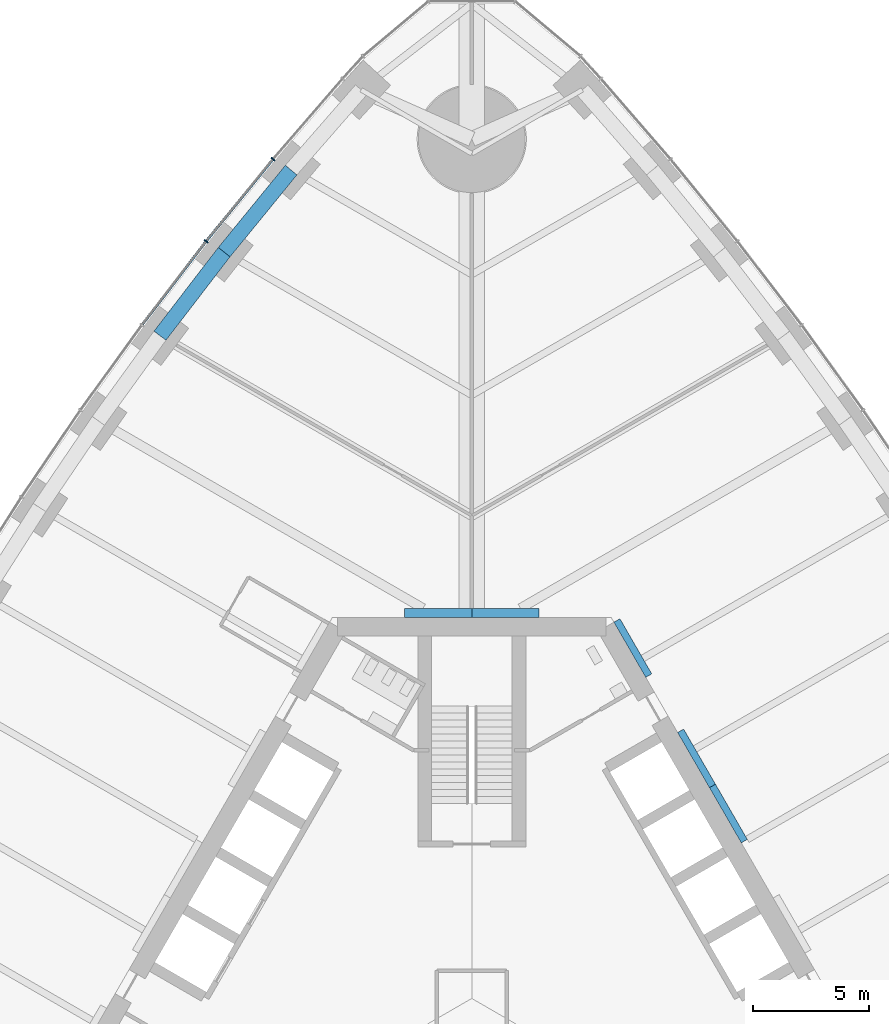
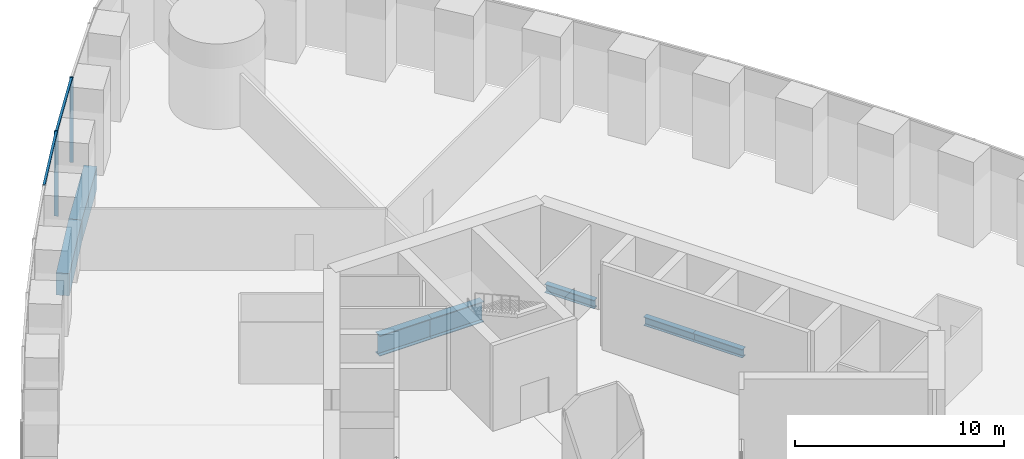
# One storey, part 8 of 21: 7 beams, 4 members, 1 element without a shape of its own.
"""IFC4 building model written with IfcOpenShell, lengths in metres."""

from ifc_helpers import new_model, si_unit, direction, frame, origin, origin_2d, place, context, subcontext, project, spatial, rectangle, i_section, extrude, material, material_profile, profile_set, type_object, element, aggregate, save


model = new_model("IFC4")

# Units and contexts
model_context = context("Model", 3, precision=1e-05, world=origin(), true_north=direction((0.0, 1.0)))
body_context = subcontext(model_context, "Body", "Model", "MODEL_VIEW")
ifc_project = project(units=[si_unit("LENGTHUNIT", "METRE"), si_unit("AREAUNIT", "SQUARE_METRE"), si_unit("VOLUMEUNIT", "CUBIC_METRE"), si_unit("PLANEANGLEUNIT", "RADIAN"), si_unit("MASSUNIT", "GRAM", prefix="KILO")], contexts=[model_context])

# Site, building, storey
site_placement = place(None, origin())
site = spatial("IfcSite", under=ifc_project, at=site_placement, CompositionType="ELEMENT")
building_placement = place(site_placement, origin())
building = spatial("IfcBuilding", under=site, at=building_placement, Name="Trefoil Bronze Tower", CompositionType="ELEMENT")
storey_placement = place(building_placement, frame((0.0, 0.0, 6.5)))
storey = spatial("IfcBuildingStorey", under=building, at=storey_placement, Name="L01", CompositionType="ELEMENT", Elevation=6.5)

# Curtain wall, members
ifc_material_1 = material(Name="Tinted solar-control glass", Category="glass")
curtain_wall_type = type_object("IfcCurtainWallType", Name="Bronze podium storefront curtain wall", PredefinedType="USERDEFINED", material=ifc_material_1)
curtain_wall_placement = place(storey_placement, origin())
curtain_wall = element("IfcCurtainWall", 1, at=curtain_wall_placement, inside=storey, type_object=curtain_wall_type, Name="CW-C L01 F3", ObjectType="CURTAIN WALL", PredefinedType="USERDEFINED")
ifc_material_2 = material(Name="Bronze-finish aluminium", Category="aluminium")
ifc_material_profile_1 = material_profile(ifc_material_2, rectangle(XDim=0.199951171875, YDim=0.06005859375, at=origin_2d()), Name="CW-C mullion")
ifc_profile_set_1 = profile_set([ifc_material_profile_1], Name="Bronze-finish aluminium")
member_type_1 = type_object("IfcMemberType", Name="Bronze podium storefront curtain wall mullion", PredefinedType="MULLION", material=ifc_profile_set_1)
member_1_placement = place(storey_placement, frame((-8.556640625, 36.13720703125, 0.0), z_axis=(0.0, 0.0, 1.0), x_axis=(0.765729101889, -0.643163231629, 0.0)))
member_1 = element("IfcMember", 2, at=member_1_placement, type_object=member_type_1, Name="CW-C L01 F3 mullion 3", PredefinedType="MULLION", context=body_context, shape_type="SweptSolid", body=[
    extrude(rectangle(XDim=0.199951171875, YDim=0.06005859375, at=origin_2d()), origin(), (0.0, 0.0, 1.0), 4.97998046875),
])
member_2_placement = place(storey_placement, frame((-11.4384765625, 32.6015625, 0.0), z_axis=(0.0, 0.0, 1.0), x_axis=(0.784304615744, -0.620375910011, 0.0)))
member_2 = element("IfcMember", 3, at=member_2_placement, type_object=member_type_1, Name="CW-C L01 F3 mullion 4", PredefinedType="MULLION", context=body_context, shape_type="SweptSolid", body=[
    extrude(rectangle(XDim=0.199951171875, YDim=0.06005859375, at=origin_2d()), origin(), (0.0, 0.0, 1.0), 4.97998046875),
])
ifc_material_3 = material(Name="Bronze-finish aluminium", Category="aluminium")
ifc_material_profile_2 = material_profile(ifc_material_3, rectangle(XDim=0.1201171875, YDim=0.10009765625, at=origin_2d()), Name="CW-C transom")
ifc_profile_set_2 = profile_set([ifc_material_profile_2], Name="Bronze-finish aluminium")
member_type_2 = type_object("IfcMemberType", Name="Bronze podium storefront curtain wall transom", PredefinedType="USERDEFINED", material=ifc_profile_set_2)
member_3_placement = place(storey_placement, frame((-8.576416015625, 36.11279296875, 4.929931640625), z_axis=(-0.631829981334, -0.77510700854, 0.0), x_axis=(0.77510700854, -0.631829981334, 0.0)))
member_3 = element("IfcMember", 4, at=member_3_placement, type_object=member_type_2, Name="CW-C L01 F3 transom 3", ObjectType="TRANSOM", PredefinedType="USERDEFINED", context=body_context, shape_type="SweptSolid", body=[
    extrude(rectangle(XDim=0.1201171875, YDim=0.10009765625, at=origin_2d()), origin(), (0.0, 0.0, 1.0), 4.49853515625),
])
member_4_placement = place(storey_placement, frame((-11.457763671875, 32.57666015625, 4.929931640625), z_axis=(-0.608806818405, -0.79331850972, 0.0), x_axis=(0.79331850972, -0.608806818405, 0.0)))
member_4 = element("IfcMember", 5, at=member_4_placement, type_object=member_type_2, Name="CW-C L01 F3 transom 4", ObjectType="TRANSOM", PredefinedType="USERDEFINED", context=body_context, shape_type="SweptSolid", body=[
    extrude(rectangle(XDim=0.1201171875, YDim=0.10009765625, at=origin_2d()), origin(), (0.0, 0.0, 1.0), 4.47900390625),
])
aggregate(curtain_wall, [member_1, member_2, member_3, member_4])

# Beams
ifc_material_4 = material(Name="Steel C355", Category="steel")
ifc_material_profile_3 = material_profile(ifc_material_4, i_section(OverallWidth=0.300048828125, OverallDepth=0.5, WebThickness=0.014404296875, FlangeThickness=0.028076171875, FilletRadius=0.027099609375, at=origin_2d()), Name="HEB 500")
ifc_profile_set_3 = profile_set([ifc_material_profile_3], Name="Steel C355")
beam_type_1 = type_object("IfcBeamType", Name="Core seat beam HEB 500", PredefinedType="BEAM", material=ifc_profile_set_3)
for number, where, z_axis, x_axis, name in (
    (6, (11.734619140625, 6.77490234375, -0.449951171875), (-0.499969057507, 0.866043267704, 0.0), (-0.866043267704, -0.499969057507, 0.0), "Core seat beam F2/+0 L01"),
    (7, (10.363525390625, 9.14990234375, -0.449951171875), (-0.500035825175, 0.866004719122, 0.0), (-0.866004719122, -0.500035825175, 0.0), "Core seat beam F2/+1 L01"),
    (8, (7.62109375, 13.89990234375, -0.449951171875), (-0.500035825175, 0.866004719122, 0.0), (-0.866004719122, -0.500035825175, 0.0), "Core seat beam F2/+2 L01"),
):
    element("IfcBeam", number, at=place(storey_placement, frame(where, z_axis=z_axis, x_axis=x_axis)), inside=storey, type_object=beam_type_1, Name=name, PredefinedType="BEAM", context=body_context, shape_type="SweptSolid", body=[
        extrude(i_section(OverallWidth=0.300048828125, OverallDepth=0.5, WebThickness=0.014404296875, FlangeThickness=0.028076171875, FilletRadius=0.027099609375, at=origin_2d()), origin(), (0.0, 0.0, 1.0), 2.742431640625),
    ])
ifc_material_5 = material(Name="Steel C355", Category="steel")
ifc_material_profile_4 = material_profile(ifc_material_5, i_section(OverallWidth=0.39990234375, OverallDepth=1.199951171875, WebThickness=0.02001953125, FlangeThickness=0.0400390625, FilletRadius=0.010009765625, at=origin_2d()), Name="WPG 1200")
ifc_profile_set_4 = profile_set([ifc_material_profile_4], Name="Steel C355")
beam_type_2 = type_object("IfcBeamType", Name="Core seat beam WPG 1200", PredefinedType="BEAM", material=ifc_profile_set_4)
for number, where, z_axis, x_axis, name in (
    (9, (2.88671875, 16.60009765625, -0.800048828125), (-1.0, 0.0, 0.0), (0.0, -1.0, 0.0), "Core seat beam F2/+3 L01"),
    (10, (0.0, 16.60009765625, -0.800048828125), (-1.0, 0.0, 0.0), (0.0, -1.0, 0.0), "Core seat beam F3/-3 L01"),
):
    element("IfcBeam", number, at=place(storey_placement, frame(where, z_axis=z_axis, x_axis=x_axis)), inside=storey, type_object=beam_type_2, Name=name, PredefinedType="BEAM", context=body_context, shape_type="SweptSolid", body=[
        extrude(i_section(OverallWidth=0.39990234375, OverallDepth=1.199951171875, WebThickness=0.02001953125, FlangeThickness=0.0400390625, FilletRadius=0.010009765625, at=origin_2d()), origin(), (0.0, 0.0, 1.0), 2.88671875),
    ])
ifc_material_6 = material(Name="Concrete B80", Category="concrete")
ifc_material_profile_5 = material_profile(ifc_material_6, rectangle(XDim=0.64990234375, YDim=1.300048828125, at=origin_2d()), Name="RC 650x1300")
ifc_profile_set_5 = profile_set([ifc_material_profile_5], Name="Concrete B80")
beam_type_3 = type_object("IfcBeamType", Name="Spandrel beam RC 650x1300", PredefinedType="SPANDREL", material=ifc_profile_set_5)
beam_1_placement = place(storey_placement, frame((-7.7763671875, 35.666748046875, -0.85009765625), z_axis=(-0.632467643363, -0.774586780225, 0.0), x_axis=(0.774586780225, -0.632467643363, 0.0)))
element("IfcBeam", 11, at=beam_1_placement, inside=storey, type_object=beam_type_3, Name="Spandrel F3.3 L01", PredefinedType="SPANDREL", context=body_context, shape_type="SweptSolid", body=[
    extrude(rectangle(XDim=0.64990234375, YDim=1.300048828125, at=origin_2d()), origin(), (0.0, 0.0, 1.0), 4.55908203125),
])
beam_2_placement = place(storey_placement, frame((-10.659912109375, 32.13525390625, -0.85009765625), z_axis=(-0.609338992146, -0.792909826305, 0.0), x_axis=(0.792909826305, -0.609338992146, 0.0)))
element("IfcBeam", 12, at=beam_2_placement, inside=storey, type_object=beam_type_3, Name="Spandrel F3.4 L01", PredefinedType="SPANDREL", context=body_context, shape_type="SweptSolid", body=[
    extrude(rectangle(XDim=0.64990234375, YDim=1.300048828125, at=origin_2d()), origin(), (0.0, 0.0, 1.0), 4.5390625),
])

save(model, "model.ifc")
